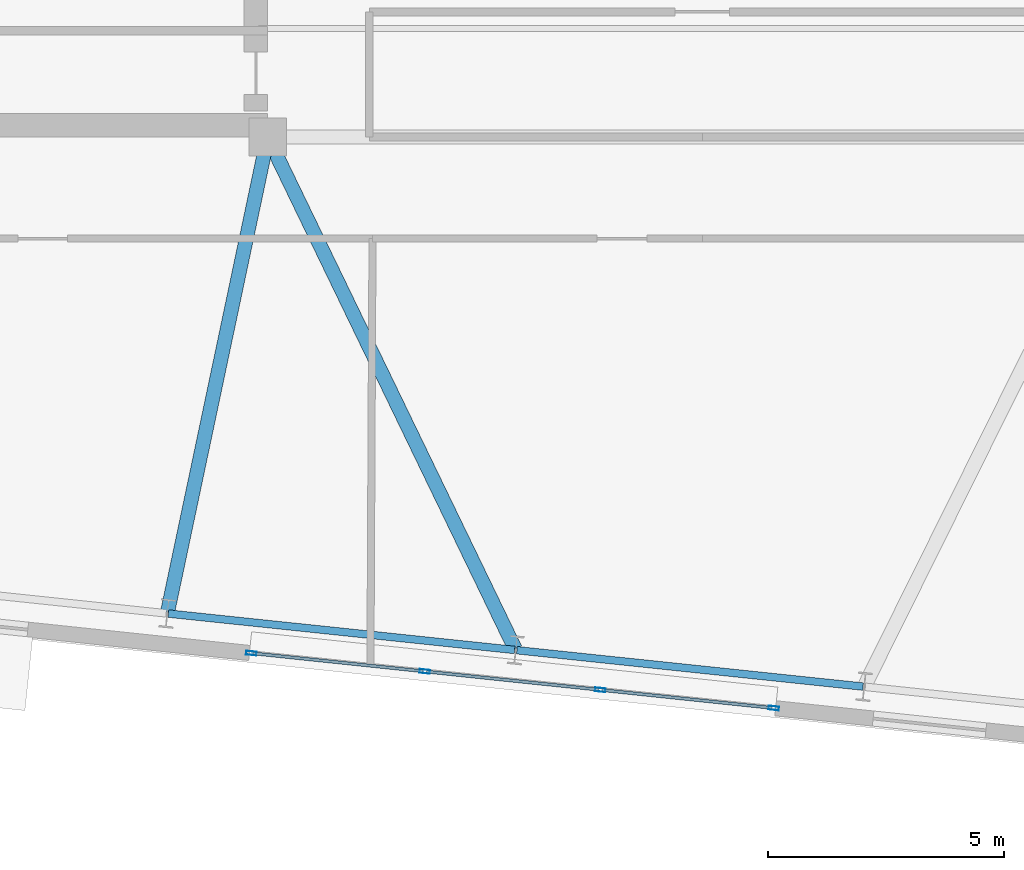
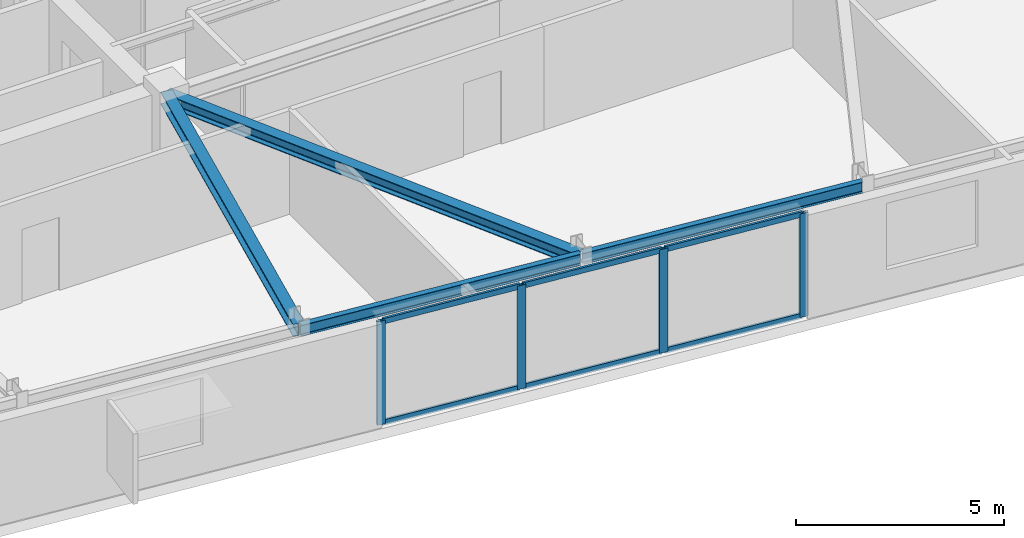
# One storey, part 5 of 12: 10 members, 4 beams, 1 element without a shape of its own.
"""IFC4 building model written with IfcOpenShell, lengths in metres."""

from ifc_helpers import new_model, si_unit, direction, frame, origin, origin_2d, place, context, subcontext, project, spatial, hollow_rectangle, i_section, extrude, material, layer, layer_set, material_profile, profile_set, type_object, element, aggregate, save


model = new_model("IFC4")

# Units and contexts
model_context = context("Model", 3, precision=1e-05, world=origin(), true_north=direction((0.0, 1.0)))
body_context = subcontext(model_context, "Body", "Model", "MODEL_VIEW")
ifc_project = project(units=[si_unit("LENGTHUNIT", "METRE"), si_unit("AREAUNIT", "SQUARE_METRE"), si_unit("VOLUMEUNIT", "CUBIC_METRE"), si_unit("PLANEANGLEUNIT", "RADIAN"), si_unit("MASSUNIT", "GRAM", prefix="KILO")], contexts=[model_context])

# Site, building, storey
site_placement = place(None, origin())
site = spatial("IfcSite", under=ifc_project, at=site_placement, CompositionType="ELEMENT")
building_placement = place(site_placement, origin())
building = spatial("IfcBuilding", under=site, at=building_placement, Name="Qobustan Lattice House", CompositionType="ELEMENT")
storey_placement = place(building_placement, frame((0.0, 0.0, 203.10009765625)))
storey = spatial("IfcBuildingStorey", under=building, at=storey_placement, Name="L57", CompositionType="ELEMENT", Elevation=203.10009765625)

# Beams
ifc_material_1 = material(Name="Steel S355", Category="steel")
ifc_material_profile_1 = material_profile(ifc_material_1, i_section(OverallWidth=0.300048828125, OverallDepth=0.360107421875, WebThickness=0.012451171875, FlangeThickness=0.0224609375, FilletRadius=0.027099609375, at=origin_2d()), Name="HEB360")
ifc_profile_set_1 = profile_set([ifc_material_profile_1], Name="Steel S355")
beam_type_1 = type_object("IfcBeamType", Name="BM-FLG-HEB360", PredefinedType="USERDEFINED", material=ifc_profile_set_1)
beam_1_placement = place(storey_placement, frame((-11.32177734375, -15.658447265625, 2.85986328125), z_axis=(0.206411213198, 0.978465334627, 0.0), x_axis=(-0.978465334627, 0.206411213198, 0.0)))
element("IfcBeam", 1, at=beam_1_placement, inside=storey, type_object=beam_type_1, Name="L57 primary floor girder RAD-S3", ObjectType="GIRDER", PredefinedType="USERDEFINED", context=body_context, shape_type="SweptSolid", body=[
    extrude(i_section(OverallWidth=0.300048828125, OverallDepth=0.360107421875, WebThickness=0.012451171875, FlangeThickness=0.0224609375, FilletRadius=0.027099609375, at=origin_2d()), origin(), (0.0, 0.0, 1.0), 10.2548828125),
])
beam_2_placement = place(storey_placement, frame((-3.9619140625, -16.435791015625, 2.85986328125), z_axis=(-0.435229353302, 0.900319615483, 0.0), x_axis=(-0.900319615483, -0.435229353302, 0.0)))
element("IfcBeam", 2, at=beam_2_placement, inside=storey, type_object=beam_type_1, Name="L57 primary floor girder RAD-S4", ObjectType="GIRDER", PredefinedType="USERDEFINED", context=body_context, shape_type="SweptSolid", body=[
    extrude(i_section(OverallWidth=0.300048828125, OverallDepth=0.360107421875, WebThickness=0.012451171875, FlangeThickness=0.0224609375, FilletRadius=0.027099609375, at=origin_2d()), origin(), (0.0, 0.0, 1.0), 12.010498046875),
])
ifc_material_2 = material(Name="Steel S355", Category="steel")
ifc_material_profile_2 = material_profile(ifc_material_2, i_section(OverallWidth=0.159912109375, OverallDepth=0.330078125, WebThickness=0.007568359375, FlangeThickness=0.011474609375, FilletRadius=0.01806640625, at=origin_2d()), Name="IPE330")
ifc_profile_set_2 = profile_set([ifc_material_profile_2], Name="Steel S355")
beam_type_2 = type_object("IfcBeamType", Name="BM-SPD-IPE330", PredefinedType="SPANDREL", material=ifc_profile_set_2)
beam_3_placement = place(storey_placement, frame((-11.302001953125, -15.685546875, 2.875), z_axis=(0.994521784746, -0.104529515765, 0.0), x_axis=(0.104529515765, 0.994521784746, 0.0)))
element("IfcBeam", 3, at=beam_3_placement, inside=storey, type_object=beam_type_2, Name="L57 perimeter spandrel S3-S4", PredefinedType="SPANDREL", context=body_context, shape_type="SweptSolid", body=[
    extrude(i_section(OverallWidth=0.159912109375, OverallDepth=0.330078125, WebThickness=0.007568359375, FlangeThickness=0.011474609375, FilletRadius=0.01806640625, at=origin_2d()), origin(), (0.0, 0.0, 1.0), 7.366455078125),
])
beam_4_placement = place(storey_placement, frame((-3.926025390625, -16.460693359375, 2.875), z_axis=(0.99451870122, -0.10455884909, 0.0), x_axis=(0.10455884909, 0.99451870122, 0.0)))
element("IfcBeam", 4, at=beam_4_placement, inside=storey, type_object=beam_type_2, Name="L57 perimeter spandrel S4-S5", PredefinedType="SPANDREL", context=body_context, shape_type="SweptSolid", body=[
    extrude(i_section(OverallWidth=0.159912109375, OverallDepth=0.330078125, WebThickness=0.007568359375, FlangeThickness=0.011474609375, FilletRadius=0.01806640625, at=origin_2d()), origin(), (0.0, 0.0, 1.0), 7.36669921875),
])

# Curtain wall, members
ifc_material_3 = material(Name="Anodised aluminium and low-E glazing", Category="aluminium")
ifc_layer = layer(ifc_material_3, 0.219970703125)
ifc_layer_set = layer_set([ifc_layer], Name="Anodised aluminium and low-E glazing")
curtain_wall_type = type_object("IfcCurtainWallType", Name="CW-IWN-01", PredefinedType="USERDEFINED", material=ifc_layer_set)
curtain_wall_placement = place(storey_placement, origin())
curtain_wall = element("IfcCurtainWall", 5, at=curtain_wall_placement, inside=storey, type_object=curtain_wall_type, Name="L57 IWAN-4 walnut-lined iwan curtain wall", ObjectType="CURTAIN WALL", PredefinedType="USERDEFINED")
ifc_material_4 = material(Name="Anodised aluminium EN AW-6063 T6", Category="aluminium")
ifc_material_profile_3 = material_profile(ifc_material_4, hollow_rectangle(XDim=0.080078125, YDim=0.219970703125, WallThickness=0.0048828125, at=origin_2d()), Name="CWM-220x80")
ifc_profile_set_3 = profile_set([ifc_material_profile_3], Name="Anodised aluminium EN AW-6063 T6")
member_type_1 = type_object("IfcMemberType", Name="CWM-MAIN-220", PredefinedType="MULLION", material=ifc_profile_set_3)
member_1_placement = place(storey_placement, frame((1.5107421875, -17.68603515625, 0.0), z_axis=(0.0, 0.0, 1.0), x_axis=(-0.104536054872, -0.994521097429, 0.0)))
member_1 = element("IfcMember", 6, at=member_1_placement, type_object=member_type_1, Name="CW-IW mullion 1", PredefinedType="MULLION", context=body_context, shape_type="SweptSolid", body=[
    extrude(hollow_rectangle(XDim=0.080078125, YDim=0.219970703125, WallThickness=0.0048828125, at=origin_2d()), origin(), (0.0, 0.0, 1.0), 3.039794921875),
])
member_2_placement = place(storey_placement, frame((-2.162353515625, -17.2998046875, 0.0), z_axis=(0.0, 0.0, 1.0), x_axis=(-0.104536054872, -0.994521097429, 0.0)))
member_2 = element("IfcMember", 7, at=member_2_placement, type_object=member_type_1, Name="CW-IW mullion 2", PredefinedType="MULLION", context=body_context, shape_type="SweptSolid", body=[
    extrude(hollow_rectangle(XDim=0.080078125, YDim=0.219970703125, WallThickness=0.0048828125, at=origin_2d()), origin(), (0.0, 0.0, 1.0), 3.039794921875),
])
member_3_placement = place(storey_placement, frame((-5.875244140625, -16.90966796875, 0.0), z_axis=(0.0, 0.0, 1.0), x_axis=(-0.104536054872, -0.994521097429, 0.0)))
member_3 = element("IfcMember", 8, at=member_3_placement, type_object=member_type_1, Name="CW-IW mullion 3", PredefinedType="MULLION", context=body_context, shape_type="SweptSolid", body=[
    extrude(hollow_rectangle(XDim=0.080078125, YDim=0.219970703125, WallThickness=0.0048828125, at=origin_2d()), origin(), (0.0, 0.0, 1.0), 3.039794921875),
])
member_4_placement = place(storey_placement, frame((-9.54833984375, -16.5234375, 0.0), z_axis=(0.0, 0.0, 1.0), x_axis=(-0.104536054872, -0.994521097429, 0.0)))
member_4 = element("IfcMember", 9, at=member_4_placement, type_object=member_type_1, Name="CW-IW mullion 4", PredefinedType="MULLION", context=body_context, shape_type="SweptSolid", body=[
    extrude(hollow_rectangle(XDim=0.080078125, YDim=0.219970703125, WallThickness=0.0048828125, at=origin_2d()), origin(), (0.0, 0.0, 1.0), 3.039794921875),
])
ifc_material_5 = material(Name="Anodised aluminium EN AW-6063 T6", Category="aluminium")
ifc_material_profile_4 = material_profile(ifc_material_5, hollow_rectangle(XDim=0.06494140625, YDim=0.159912109375, WallThickness=0.00390625, at=origin_2d()), Name="CWT-160x65")
ifc_profile_set_4 = profile_set([ifc_material_profile_4], Name="Anodised aluminium EN AW-6063 T6")
member_type_2 = type_object("IfcMemberType", Name="CWT-HOR-160", PredefinedType="USERDEFINED", material=ifc_profile_set_4)
member_5_placement = place(storey_placement, frame((1.470947265625, -17.681640625, 0.032470703125), z_axis=(-0.99452210074, 0.104526509263, 0.0), x_axis=(-0.104526509263, -0.99452210074, 0.0)))
member_5 = element("IfcMember", 10, at=member_5_placement, type_object=member_type_2, Name="CW-IW transom 1.1", ObjectType="TRANSOM", PredefinedType="USERDEFINED", context=body_context, shape_type="SweptSolid", body=[
    extrude(hollow_rectangle(XDim=0.06494140625, YDim=0.159912109375, WallThickness=0.00390625, at=origin_2d()), origin(), (0.0, 0.0, 1.0), 3.61328125),
])
member_6_placement = place(storey_placement, frame((1.470947265625, -17.681640625, 3.00732421875), z_axis=(-0.99452210074, 0.104526509263, 0.0), x_axis=(-0.104526509263, -0.99452210074, 0.0)))
member_6 = element("IfcMember", 11, at=member_6_placement, type_object=member_type_2, Name="CW-IW transom 1.2", ObjectType="TRANSOM", PredefinedType="USERDEFINED", context=body_context, shape_type="SweptSolid", body=[
    extrude(hollow_rectangle(XDim=0.06494140625, YDim=0.159912109375, WallThickness=0.00390625, at=origin_2d()), origin(), (0.0, 0.0, 1.0), 3.61328125),
])
member_7_placement = place(storey_placement, frame((-2.2021484375, -17.295654296875, 0.032470703125), z_axis=(-0.994523015384, 0.104517806482, 0.0), x_axis=(-0.104517806482, -0.994523015384, 0.0)))
member_7 = element("IfcMember", 12, at=member_7_placement, type_object=member_type_2, Name="CW-IW transom 2.1", ObjectType="TRANSOM", PredefinedType="USERDEFINED", context=body_context, shape_type="SweptSolid", body=[
    extrude(hollow_rectangle(XDim=0.06494140625, YDim=0.159912109375, WallThickness=0.00390625, at=origin_2d()), origin(), (0.0, 0.0, 1.0), 3.6533203125),
])
member_8_placement = place(storey_placement, frame((-2.2021484375, -17.295654296875, 3.00732421875), z_axis=(-0.994523015384, 0.104517806482, 0.0), x_axis=(-0.104517806482, -0.994523015384, 0.0)))
member_8 = element("IfcMember", 13, at=member_8_placement, type_object=member_type_2, Name="CW-IW transom 2.2", ObjectType="TRANSOM", PredefinedType="USERDEFINED", context=body_context, shape_type="SweptSolid", body=[
    extrude(hollow_rectangle(XDim=0.06494140625, YDim=0.159912109375, WallThickness=0.00390625, at=origin_2d()), origin(), (0.0, 0.0, 1.0), 3.6533203125),
])
member_9_placement = place(storey_placement, frame((-5.9150390625, -16.9052734375, 0.032470703125), z_axis=(-0.99452210074, 0.104526509263, 0.0), x_axis=(-0.104526509263, -0.99452210074, 0.0)))
member_9 = element("IfcMember", 14, at=member_9_placement, type_object=member_type_2, Name="CW-IW transom 3.1", ObjectType="TRANSOM", PredefinedType="USERDEFINED", context=body_context, shape_type="SweptSolid", body=[
    extrude(hollow_rectangle(XDim=0.06494140625, YDim=0.159912109375, WallThickness=0.00390625, at=origin_2d()), origin(), (0.0, 0.0, 1.0), 3.61328125),
])
member_10_placement = place(storey_placement, frame((-5.9150390625, -16.9052734375, 3.00732421875), z_axis=(-0.99452210074, 0.104526509263, 0.0), x_axis=(-0.104526509263, -0.99452210074, 0.0)))
member_10 = element("IfcMember", 15, at=member_10_placement, type_object=member_type_2, Name="CW-IW transom 3.2", ObjectType="TRANSOM", PredefinedType="USERDEFINED", context=body_context, shape_type="SweptSolid", body=[
    extrude(hollow_rectangle(XDim=0.06494140625, YDim=0.159912109375, WallThickness=0.00390625, at=origin_2d()), origin(), (0.0, 0.0, 1.0), 3.61328125),
])
aggregate(curtain_wall, [member_1, member_2, member_3, member_4, member_5, member_6, member_7, member_8, member_9, member_10])

save(model, "model.ifc")
